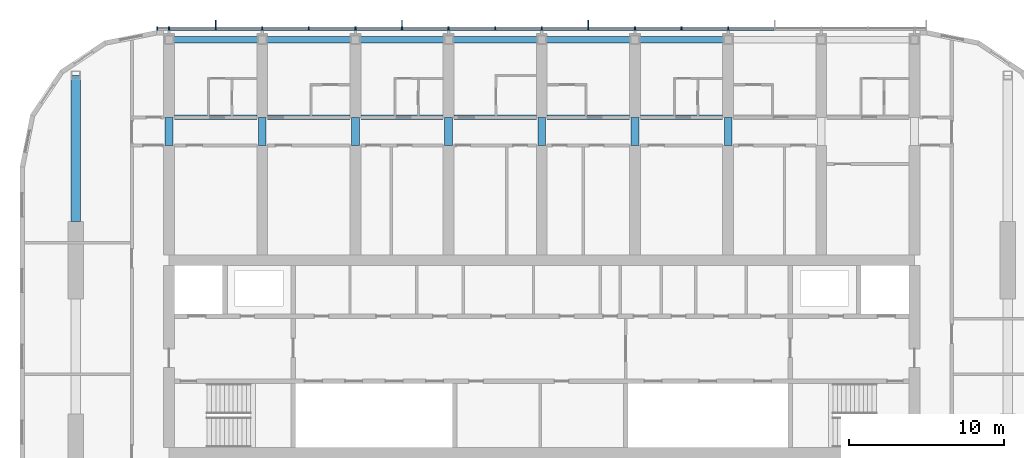
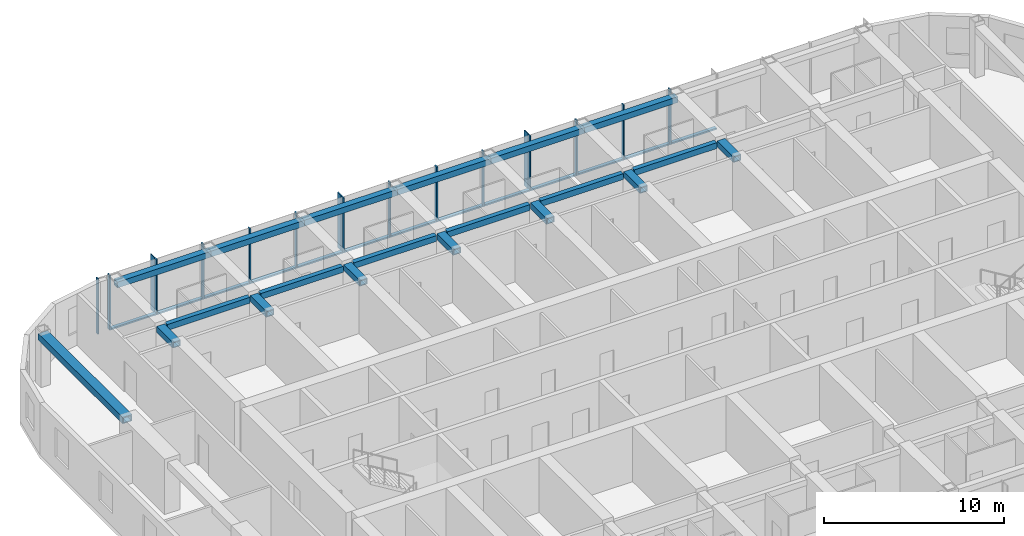
# One storey, part 4 of 23: 30 members, 20 beams, 1 element without a shape of its own.
"""IFC4 building model written with IfcOpenShell, lengths in metres."""

import ifcopenshell
import ifcopenshell.guid

model = None  # the IFC model being written
_history = None  # IfcOwnerHistory: only IFC2X3 demands one
_inside = {}  # id of a spatial element -> (the spatial element, [elements in it])
_under = {}  # id of a project, library or spatial element -> (it, [spatial elements below it])
_declared = {}  # id of a project -> (the project, [libraries it declares])
_typed = {}  # id of a type object -> (the type object, [elements of that type])
_made_of = {}  # id of a material, layer set ... -> (it, [elements and type objects made of it])


def new_model(schema):
    """Start an empty IFC model of exactly this schema.

    Asked for "IFC4X3", IfcOpenShell would pick the latest addendum, in which some entities
    have other attributes; the version numbers below select the first issue.
    IFC2X3 requires an IfcOwnerHistory on every rooted entity: one is made here for all.
    """
    global model, _history
    if schema == "IFC4X3":
        model = ifcopenshell.file(schema_version=(4, 3, 0, 0))
    else:
        model = ifcopenshell.file(schema=schema)
    _inside.clear()
    _under.clear()
    _declared.clear()
    _typed.clear()
    _made_of.clear()
    _history = None
    if model.schema == "IFC2X3":
        org = make("IfcOrganization", Name="unknown")
        user = make(
            "IfcPersonAndOrganization",
            ThePerson=make("IfcPerson", FamilyName="unknown"),
            TheOrganization=org,
        )
        app = make(
            "IfcApplication",
            ApplicationDeveloper=org,
            Version="unknown",
            ApplicationFullName="unknown",
            ApplicationIdentifier="unknown",
        )
        _history = make(
            "IfcOwnerHistory",
            OwningUser=user,
            OwningApplication=app,
            ChangeAction="ADDED",
            CreationDate=0,
        )
    return model


def make(cls, **values):
    """One entity of the class cls with the attributes given. An attribute that is None is left unset."""
    return model.create_entity(
        cls, **{name: value for name, value in values.items() if value is not None}
    )


def rooted(cls, **values):
    """An entity with a GlobalId (a new one), such as an element, a storey or a relation."""
    return make(cls, GlobalId=ifcopenshell.guid.new(), OwnerHistory=_history, **values)


def si_unit(unit_type, name, prefix=None):
    """IfcSIUnit, for example si_unit("LENGTHUNIT", "METRE", prefix="MILLI")."""
    return make("IfcSIUnit", UnitType=unit_type, Prefix=prefix, Name=name)


def assignment(units):
    """IfcUnitAssignment: the units of a project."""
    return None if units is None else make("IfcUnitAssignment", Units=units)


def point(xyz):
    """IfcCartesianPoint."""
    return None if xyz is None else make("IfcCartesianPoint", Coordinates=xyz)


def direction(xyz):
    """IfcDirection."""
    return None if xyz is None else make("IfcDirection", DirectionRatios=xyz)


def frame(location, z_axis=None, x_axis=None):
    """IfcAxis2Placement3D, a coordinate frame: its origin and axes. An axis left out is left unset."""
    return make(
        "IfcAxis2Placement3D",
        Location=point(location),
        Axis=direction(z_axis),
        RefDirection=direction(x_axis),
    )


def frame_2d(location, x_axis=None):
    """IfcAxis2Placement2D, a coordinate frame in the plane: its origin and x axis."""
    return make(
        "IfcAxis2Placement2D", Location=point(location), RefDirection=direction(x_axis)
    )


def origin():
    """The frame at (0, 0, 0) with its axes left unset."""
    return frame((0.0, 0.0, 0.0))


def origin_2d():
    """The frame at (0, 0) in the plane with its x axis left unset."""
    return frame_2d((0.0, 0.0))


def place(relative_to, where):
    """IfcLocalPlacement: puts the frame where relative to a parent placement (None: the world)."""
    return make(
        "IfcLocalPlacement", PlacementRelTo=relative_to, RelativePlacement=where
    )


def context(
    kind, dimensions, precision=None, world=None, true_north=None, identifier=None
):
    """IfcGeometricRepresentationContext, for example the 3D "Model" context."""
    return make(
        "IfcGeometricRepresentationContext",
        ContextIdentifier=identifier,
        ContextType=kind,
        CoordinateSpaceDimension=dimensions,
        Precision=precision,
        WorldCoordinateSystem=world,
        TrueNorth=true_north,
    )


def subcontext(parent, identifier, kind, view, scale=None):
    """IfcGeometricRepresentationSubContext, for example "Body" below "Model"."""
    return make(
        "IfcGeometricRepresentationSubContext",
        ContextIdentifier=identifier,
        ContextType=kind,
        ParentContext=parent,
        TargetScale=scale,
        TargetView=view,
    )


def project(units=None, contexts=None):
    """IfcProject with its units and contexts."""
    return rooted(
        "IfcProject",
        Name="project",
        RepresentationContexts=contexts,
        UnitsInContext=assignment(units),
    )


def spatial(cls, under=None, at=None, **own):
    """A site, building, storey or space (cls), placed at a placement, below another one or the project."""
    s = rooted(cls, ObjectPlacement=at, **own)
    if under is not None:
        _under.setdefault(under.id(), (under, []))[1].append(s)
    return s


def profile(cls, at=None, kind="AREA", **sizes):
    """A parametric profile (cls). Its sizes go by their IFC names, for example OverallWidth=200.0."""
    return make(cls, ProfileType=kind, Position=at, **sizes)


def rectangle(**sizes):
    """IfcRectangleProfileDef."""
    return profile("IfcRectangleProfileDef", **sizes)


def hollow_rectangle(**sizes):
    """IfcRectangleHollowProfileDef."""
    return profile("IfcRectangleHollowProfileDef", **sizes)


def extrude(swept, where, along, depth):
    """IfcExtrudedAreaSolid: the profile swept, set in the frame where, extruded along a direction by depth."""
    return make(
        "IfcExtrudedAreaSolid",
        SweptArea=swept,
        Position=where,
        ExtrudedDirection=direction(along),
        Depth=depth,
    )


def shape(context_of_items, identifier, shape_type, items):
    """IfcShapeRepresentation: the items that make up one representation, for example the "Body"."""
    return make(
        "IfcShapeRepresentation",
        ContextOfItems=context_of_items,
        RepresentationIdentifier=identifier,
        RepresentationType=shape_type,
        Items=items,
    )


def material(Name=None, Category=None):
    """IfcMaterial."""
    return make("IfcMaterial", Name=Name, Category=Category)


def material_profile(
    of_material, cross_section, Name=None, Category=None, Priority=None
):
    """IfcMaterialProfile: a cross section and its material."""
    return make(
        "IfcMaterialProfile",
        Name=Name,
        Material=of_material,
        Profile=cross_section,
        Priority=Priority,
        Category=Category,
    )


def profile_set(profiles, Name=None, composite=None):
    """IfcMaterialProfileSet."""
    return make(
        "IfcMaterialProfileSet",
        Name=Name,
        MaterialProfiles=profiles,
        CompositeProfile=composite,
    )


def made_of(thing, what):
    """Note that an element or type object is made of a material, layer set ...; save() writes the relation."""
    if what is not None:
        _made_of.setdefault(what.id(), (what, []))[1].append(thing)
    return thing


def type_object(cls, material=None, **own):
    """A type object (cls), such as IfcWallType, which elements share."""
    return made_of(rooted(cls, **own), material)


def element(
    cls,
    number,
    at=None,
    inside=None,
    cuts=None,
    type_object=None,
    material=None,
    context=None,
    identifier="Body",
    shape_type=None,
    held_by="IfcProductDefinitionShape",
    body=None,
    shapes=None,
    **own,
):
    """One element of the class cls, such as IfcWall. Its Tag is "e" and its number.

    at: its placement. inside: the storey or other place that contains it. cuts: it is an
    opening in that element (IfcRelVoidsElement). A single representation is given by context,
    identifier, shape_type and body (its items); several are given by shapes. held_by: the class
    of the entity that holds the representations. save() writes the other relations.
    """
    e = rooted(cls, Tag="e%d" % number, ObjectPlacement=at, **own)
    if body is not None:
        shapes = [shape(context, identifier, shape_type, body)]
    if shapes is not None:
        e.Representation = make(held_by, Representations=shapes)
    if inside is not None:
        _inside.setdefault(inside.id(), (inside, []))[1].append(e)
    if cuts is not None:
        rooted(
            "IfcRelVoidsElement", RelatingBuildingElement=cuts, RelatedOpeningElement=e
        )
    if type_object is not None:
        _typed.setdefault(type_object.id(), (type_object, []))[1].append(e)
    return made_of(e, material)


def aggregate(whole, parts):
    """IfcRelAggregates: a whole, such as a stair, and the parts it consists of."""
    return rooted("IfcRelAggregates", RelatingObject=whole, RelatedObjects=parts)


def save(model, path):
    """Write the relations noted so far, then the file.

    IfcRelAggregates (storeys below a building ...), IfcRelContainedInSpatialStructure (elements
    in a storey), IfcRelDefinesByType, IfcRelAssociatesMaterial and IfcRelDeclares: one each for
    every whole, place, type object, material and project.
    """
    for whole, parts in _under.values():
        aggregate(whole, parts)
    for where, things in _inside.values():
        rooted(
            "IfcRelContainedInSpatialStructure",
            RelatedElements=things,
            RelatingStructure=where,
        )
    for kind, things in _typed.values():
        rooted("IfcRelDefinesByType", RelatedObjects=things, RelatingType=kind)
    for what, things in _made_of.values():
        rooted("IfcRelAssociatesMaterial", RelatedObjects=things, RelatingMaterial=what)
    for by, libraries in _declared.values():
        rooted("IfcRelDeclares", RelatingContext=by, RelatedDefinitions=libraries)
    model.write(path)


model = new_model("IFC4")

# Units and contexts
model_context = context("Model", 3, precision=1e-05, world=origin(), true_north=direction((0.0, 1.0)))
body_context = subcontext(model_context, "Body", "Model", "MODEL_VIEW")
ifc_project = project(units=[si_unit("LENGTHUNIT", "METRE"), si_unit("AREAUNIT", "SQUARE_METRE"), si_unit("VOLUMEUNIT", "CUBIC_METRE"), si_unit("PLANEANGLEUNIT", "RADIAN"), si_unit("MASSUNIT", "GRAM", prefix="KILO")], contexts=[model_context])

# Site, building, storey
site_placement = place(None, origin())
site = spatial("IfcSite", under=ifc_project, at=site_placement, CompositionType="ELEMENT")
building_placement = place(site_placement, origin())
building = spatial("IfcBuilding", under=site, at=building_placement, Name="Orbita Commons", CompositionType="ELEMENT")
storey_placement = place(building_placement, frame((0.0, 0.0, 224.050048828125)))
storey = spatial("IfcBuildingStorey", under=building, at=storey_placement, Name="L55", CompositionType="ELEMENT", Elevation=224.050048828125)

# Curtain wall, members
ifc_material_1 = material(Name="Anodised aluminium frame, pale silver", Category="aluminium")
curtain_wall_type = type_object("IfcCurtainWallType", Name="Unitised curtain wall CW-U, full-height vision", PredefinedType="NOTDEFINED", material=ifc_material_1)
curtain_wall_placement = place(storey_placement, origin())
curtain_wall = element("IfcCurtainWall", 1, at=curtain_wall_placement, inside=storey, type_object=curtain_wall_type, Name="Curtain wall north L55", PredefinedType="NOTDEFINED")
ifc_material_2 = material(Name="Anodised aluminium, pale silver", Category="aluminium")
ifc_material_profile_1 = material_profile(ifc_material_2, rectangle(XDim=0.080078125, YDim=0.219970703125, at=origin_2d()), Name="AL 80x220")
ifc_profile_set_1 = profile_set([ifc_material_profile_1], Name="Anodised aluminium, pale silver")
member_type_1 = type_object("IfcMemberType", Name="Curtain wall mullion 80x220", PredefinedType="MULLION", material=ifc_profile_set_1)
member_1_placement = place(storey_placement, frame((54.0, 53.110107421875, -0.25), z_axis=(0.0, 0.0, 1.0), x_axis=(-1.0, 0.0, 0.0)))
member_1 = element("IfcMember", 2, at=member_1_placement, type_object=member_type_1, Name="Mullion 6 CW-L55-N", PredefinedType="MULLION", context=body_context, shape_type="SweptSolid", body=[
    extrude(rectangle(XDim=0.080078125, YDim=0.219970703125, at=origin_2d()), origin(), (0.0, 0.0, 1.0), 3.75),
])
member_2_placement = place(storey_placement, frame((51.0, 53.110107421875, -0.25), z_axis=(0.0, 0.0, 1.0), x_axis=(-1.0, 0.0, 0.0)))
member_2 = element("IfcMember", 3, at=member_2_placement, type_object=member_type_1, Name="Mullion 7 CW-L55-N", PredefinedType="MULLION", context=body_context, shape_type="SweptSolid", body=[
    extrude(rectangle(XDim=0.080078125, YDim=0.219970703125, at=origin_2d()), origin(), (0.0, 0.0, 1.0), 3.75),
])
member_3_placement = place(storey_placement, frame((48.0, 53.110107421875, -0.25), z_axis=(0.0, 0.0, 1.0), x_axis=(-1.0, 0.0, 0.0)))
member_3 = element("IfcMember", 4, at=member_3_placement, type_object=member_type_1, Name="Mullion 8 CW-L55-N", PredefinedType="MULLION", context=body_context, shape_type="SweptSolid", body=[
    extrude(rectangle(XDim=0.080078125, YDim=0.219970703125, at=origin_2d()), origin(), (0.0, 0.0, 1.0), 3.75),
])
member_4_placement = place(storey_placement, frame((45.0, 53.110107421875, -0.25), z_axis=(0.0, 0.0, 1.0), x_axis=(-1.0, 0.0, 0.0)))
member_4 = element("IfcMember", 5, at=member_4_placement, type_object=member_type_1, Name="Mullion 9 CW-L55-N", PredefinedType="MULLION", context=body_context, shape_type="SweptSolid", body=[
    extrude(rectangle(XDim=0.080078125, YDim=0.219970703125, at=origin_2d()), origin(), (0.0, 0.0, 1.0), 3.75),
])
member_5_placement = place(storey_placement, frame((42.0, 53.110107421875, -0.25), z_axis=(0.0, 0.0, 1.0), x_axis=(-1.0, 0.0, 0.0)))
member_5 = element("IfcMember", 6, at=member_5_placement, type_object=member_type_1, Name="Mullion 10 CW-L55-N", PredefinedType="MULLION", context=body_context, shape_type="SweptSolid", body=[
    extrude(rectangle(XDim=0.080078125, YDim=0.219970703125, at=origin_2d()), origin(), (0.0, 0.0, 1.0), 3.75),
])
member_6_placement = place(storey_placement, frame((39.0, 53.110107421875, -0.25), z_axis=(0.0, 0.0, 1.0), x_axis=(-1.0, 0.0, 0.0)))
member_6 = element("IfcMember", 7, at=member_6_placement, type_object=member_type_1, Name="Mullion 11 CW-L55-N", PredefinedType="MULLION", context=body_context, shape_type="SweptSolid", body=[
    extrude(rectangle(XDim=0.080078125, YDim=0.219970703125, at=origin_2d()), origin(), (0.0, 0.0, 1.0), 3.75),
])
member_7_placement = place(storey_placement, frame((36.0, 53.110107421875, -0.25), z_axis=(0.0, 0.0, 1.0), x_axis=(-1.0, 0.0, 0.0)))
member_7 = element("IfcMember", 8, at=member_7_placement, type_object=member_type_1, Name="Mullion 12 CW-L55-N", PredefinedType="MULLION", context=body_context, shape_type="SweptSolid", body=[
    extrude(rectangle(XDim=0.080078125, YDim=0.219970703125, at=origin_2d()), origin(), (0.0, 0.0, 1.0), 3.75),
])
member_8_placement = place(storey_placement, frame((33.0, 53.110107421875, -0.25), z_axis=(0.0, 0.0, 1.0), x_axis=(-1.0, 0.0, 0.0)))
member_8 = element("IfcMember", 9, at=member_8_placement, type_object=member_type_1, Name="Mullion 13 CW-L55-N", PredefinedType="MULLION", context=body_context, shape_type="SweptSolid", body=[
    extrude(rectangle(XDim=0.080078125, YDim=0.219970703125, at=origin_2d()), origin(), (0.0, 0.0, 1.0), 3.75),
])
member_9_placement = place(storey_placement, frame((30.0, 53.110107421875, -0.25), z_axis=(0.0, 0.0, 1.0), x_axis=(-1.0, 0.0, 0.0)))
member_9 = element("IfcMember", 10, at=member_9_placement, type_object=member_type_1, Name="Mullion 14 CW-L55-N", PredefinedType="MULLION", context=body_context, shape_type="SweptSolid", body=[
    extrude(rectangle(XDim=0.080078125, YDim=0.219970703125, at=origin_2d()), origin(), (0.0, 0.0, 1.0), 3.75),
])
member_10_placement = place(storey_placement, frame((27.0, 53.110107421875, -0.25), z_axis=(0.0, 0.0, 1.0), x_axis=(-1.0, 0.0, 0.0)))
member_10 = element("IfcMember", 11, at=member_10_placement, type_object=member_type_1, Name="Mullion 15 CW-L55-N", PredefinedType="MULLION", context=body_context, shape_type="SweptSolid", body=[
    extrude(rectangle(XDim=0.080078125, YDim=0.219970703125, at=origin_2d()), origin(), (0.0, 0.0, 1.0), 3.75),
])
member_11_placement = place(storey_placement, frame((24.0, 53.110107421875, -0.25), z_axis=(0.0, 0.0, 1.0), x_axis=(-1.0, 0.0, 0.0)))
member_11 = element("IfcMember", 12, at=member_11_placement, type_object=member_type_1, Name="Mullion 16 CW-L55-N", PredefinedType="MULLION", context=body_context, shape_type="SweptSolid", body=[
    extrude(rectangle(XDim=0.080078125, YDim=0.219970703125, at=origin_2d()), origin(), (0.0, 0.0, 1.0), 3.75),
])
member_12_placement = place(storey_placement, frame((21.0, 53.110107421875, -0.25), z_axis=(0.0, 0.0, 1.0), x_axis=(-1.0, 0.0, 0.0)))
member_12 = element("IfcMember", 13, at=member_12_placement, type_object=member_type_1, Name="Mullion 17 CW-L55-N", PredefinedType="MULLION", context=body_context, shape_type="SweptSolid", body=[
    extrude(rectangle(XDim=0.080078125, YDim=0.219970703125, at=origin_2d()), origin(), (0.0, 0.0, 1.0), 3.75),
])
member_13_placement = place(storey_placement, frame((18.0, 53.110107421875, -0.25), z_axis=(0.0, 0.0, 1.0), x_axis=(-1.0, 0.0, 0.0)))
member_13 = element("IfcMember", 14, at=member_13_placement, type_object=member_type_1, Name="Mullion 18 CW-L55-N", PredefinedType="MULLION", context=body_context, shape_type="SweptSolid", body=[
    extrude(rectangle(XDim=0.080078125, YDim=0.219970703125, at=origin_2d()), origin(), (0.0, 0.0, 1.0), 3.75),
])
member_14_placement = place(storey_placement, frame((17.239990234375, 53.110107421875, -0.25), z_axis=(0.0, 0.0, 1.0), x_axis=(-1.0, 0.0, 0.0)))
member_14 = element("IfcMember", 15, at=member_14_placement, type_object=member_type_1, Name="Mullion 19 CW-L55-N", PredefinedType="MULLION", context=body_context, shape_type="SweptSolid", body=[
    extrude(rectangle(XDim=0.080078125, YDim=0.219970703125, at=origin_2d()), origin(), (0.0, 0.0, 1.0), 3.75),
])
ifc_material_3 = material(Name="Anodised aluminium, pale silver", Category="aluminium")
ifc_material_profile_2 = material_profile(ifc_material_3, rectangle(XDim=0.219970703125, YDim=0.10009765625, at=origin_2d()), Name="AL 220x100")
ifc_profile_set_2 = profile_set([ifc_material_profile_2], Name="Anodised aluminium, pale silver")
member_type_2 = type_object("IfcMemberType", Name="Curtain wall stack transom 220x100", PredefinedType="USERDEFINED", material=ifc_profile_set_2)
member_15_placement = place(storey_placement, frame((56.9599609375, 53.110107421875, -0.199951171875), z_axis=(-1.0, 0.0, 0.0), x_axis=(0.0, -1.0, 0.0)))
member_15 = element("IfcMember", 16, at=member_15_placement, type_object=member_type_2, Name="Transom 5.1 CW-L55-N", ObjectType="TRANSOM", PredefinedType="USERDEFINED", context=body_context, shape_type="SweptSolid", body=[
    extrude(rectangle(XDim=0.219970703125, YDim=0.10009765625, at=origin_2d()), origin(), (0.0, 0.0, 1.0), 2.919921875),
])
member_16_placement = place(storey_placement, frame((53.9599609375, 53.110107421875, -0.199951171875), z_axis=(-1.0, 0.0, 0.0), x_axis=(0.0, -1.0, 0.0)))
member_16 = element("IfcMember", 17, at=member_16_placement, type_object=member_type_2, Name="Transom 6.1 CW-L55-N", ObjectType="TRANSOM", PredefinedType="USERDEFINED", context=body_context, shape_type="SweptSolid", body=[
    extrude(rectangle(XDim=0.219970703125, YDim=0.10009765625, at=origin_2d()), origin(), (0.0, 0.0, 1.0), 2.919921875),
])
member_17_placement = place(storey_placement, frame((50.9599609375, 53.110107421875, -0.199951171875), z_axis=(-1.0, 0.0, 0.0), x_axis=(0.0, -1.0, 0.0)))
member_17 = element("IfcMember", 18, at=member_17_placement, type_object=member_type_2, Name="Transom 7.1 CW-L55-N", ObjectType="TRANSOM", PredefinedType="USERDEFINED", context=body_context, shape_type="SweptSolid", body=[
    extrude(rectangle(XDim=0.219970703125, YDim=0.10009765625, at=origin_2d()), origin(), (0.0, 0.0, 1.0), 2.919921875),
])
member_18_placement = place(storey_placement, frame((47.9599609375, 53.110107421875, -0.199951171875), z_axis=(-1.0, 0.0, 0.0), x_axis=(0.0, -1.0, 0.0)))
member_18 = element("IfcMember", 19, at=member_18_placement, type_object=member_type_2, Name="Transom 8.1 CW-L55-N", ObjectType="TRANSOM", PredefinedType="USERDEFINED", context=body_context, shape_type="SweptSolid", body=[
    extrude(rectangle(XDim=0.219970703125, YDim=0.10009765625, at=origin_2d()), origin(), (0.0, 0.0, 1.0), 2.919921875),
])
member_19_placement = place(storey_placement, frame((44.9599609375, 53.110107421875, -0.199951171875), z_axis=(-1.0, 0.0, 0.0), x_axis=(0.0, -1.0, 0.0)))
member_19 = element("IfcMember", 20, at=member_19_placement, type_object=member_type_2, Name="Transom 9.1 CW-L55-N", ObjectType="TRANSOM", PredefinedType="USERDEFINED", context=body_context, shape_type="SweptSolid", body=[
    extrude(rectangle(XDim=0.219970703125, YDim=0.10009765625, at=origin_2d()), origin(), (0.0, 0.0, 1.0), 2.919921875),
])
member_20_placement = place(storey_placement, frame((41.9599609375, 53.110107421875, -0.199951171875), z_axis=(-1.0, 0.0, 0.0), x_axis=(0.0, -1.0, 0.0)))
member_20 = element("IfcMember", 21, at=member_20_placement, type_object=member_type_2, Name="Transom 10.1 CW-L55-N", ObjectType="TRANSOM", PredefinedType="USERDEFINED", context=body_context, shape_type="SweptSolid", body=[
    extrude(rectangle(XDim=0.219970703125, YDim=0.10009765625, at=origin_2d()), origin(), (0.0, 0.0, 1.0), 2.919921875),
])
member_21_placement = place(storey_placement, frame((38.9599609375, 53.110107421875, -0.199951171875), z_axis=(-1.0, 0.0, 0.0), x_axis=(0.0, -1.0, 0.0)))
member_21 = element("IfcMember", 22, at=member_21_placement, type_object=member_type_2, Name="Transom 11.1 CW-L55-N", ObjectType="TRANSOM", PredefinedType="USERDEFINED", context=body_context, shape_type="SweptSolid", body=[
    extrude(rectangle(XDim=0.219970703125, YDim=0.10009765625, at=origin_2d()), origin(), (0.0, 0.0, 1.0), 2.919921875),
])
member_22_placement = place(storey_placement, frame((35.9599609375, 53.110107421875, -0.199951171875), z_axis=(-1.0, 0.0, 0.0), x_axis=(0.0, -1.0, 0.0)))
member_22 = element("IfcMember", 23, at=member_22_placement, type_object=member_type_2, Name="Transom 12.1 CW-L55-N", ObjectType="TRANSOM", PredefinedType="USERDEFINED", context=body_context, shape_type="SweptSolid", body=[
    extrude(rectangle(XDim=0.219970703125, YDim=0.10009765625, at=origin_2d()), origin(), (0.0, 0.0, 1.0), 2.919921875),
])
member_23_placement = place(storey_placement, frame((32.9599609375, 53.110107421875, -0.199951171875), z_axis=(-1.0, 0.0, 0.0), x_axis=(0.0, -1.0, 0.0)))
member_23 = element("IfcMember", 24, at=member_23_placement, type_object=member_type_2, Name="Transom 13.1 CW-L55-N", ObjectType="TRANSOM", PredefinedType="USERDEFINED", context=body_context, shape_type="SweptSolid", body=[
    extrude(rectangle(XDim=0.219970703125, YDim=0.10009765625, at=origin_2d()), origin(), (0.0, 0.0, 1.0), 2.919921875),
])
member_24_placement = place(storey_placement, frame((29.9599609375, 53.110107421875, -0.199951171875), z_axis=(-1.0, 0.0, 0.0), x_axis=(0.0, -1.0, 0.0)))
member_24 = element("IfcMember", 25, at=member_24_placement, type_object=member_type_2, Name="Transom 14.1 CW-L55-N", ObjectType="TRANSOM", PredefinedType="USERDEFINED", context=body_context, shape_type="SweptSolid", body=[
    extrude(rectangle(XDim=0.219970703125, YDim=0.10009765625, at=origin_2d()), origin(), (0.0, 0.0, 1.0), 2.919921875),
])
member_25_placement = place(storey_placement, frame((26.9599609375, 53.110107421875, -0.199951171875), z_axis=(-1.0, 0.0, 0.0), x_axis=(0.0, -1.0, 0.0)))
member_25 = element("IfcMember", 26, at=member_25_placement, type_object=member_type_2, Name="Transom 15.1 CW-L55-N", ObjectType="TRANSOM", PredefinedType="USERDEFINED", context=body_context, shape_type="SweptSolid", body=[
    extrude(rectangle(XDim=0.219970703125, YDim=0.10009765625, at=origin_2d()), origin(), (0.0, 0.0, 1.0), 2.919921875),
])
member_26_placement = place(storey_placement, frame((23.9599609375, 53.110107421875, -0.199951171875), z_axis=(-1.0, 0.0, 0.0), x_axis=(0.0, -1.0, 0.0)))
member_26 = element("IfcMember", 27, at=member_26_placement, type_object=member_type_2, Name="Transom 16.1 CW-L55-N", ObjectType="TRANSOM", PredefinedType="USERDEFINED", context=body_context, shape_type="SweptSolid", body=[
    extrude(rectangle(XDim=0.219970703125, YDim=0.10009765625, at=origin_2d()), origin(), (0.0, 0.0, 1.0), 2.919921875),
])
member_27_placement = place(storey_placement, frame((20.9599609375, 53.110107421875, -0.199951171875), z_axis=(-1.0, 0.0, 0.0), x_axis=(0.0, -1.0, 0.0)))
member_27 = element("IfcMember", 28, at=member_27_placement, type_object=member_type_2, Name="Transom 17.1 CW-L55-N", ObjectType="TRANSOM", PredefinedType="USERDEFINED", context=body_context, shape_type="SweptSolid", body=[
    extrude(rectangle(XDim=0.219970703125, YDim=0.10009765625, at=origin_2d()), origin(), (0.0, 0.0, 1.0), 2.919921875),
])

# Beams
ifc_material_4 = material(Name="Steel ASTM A572 Gr 50 welded plate", Category="steel")
ifc_material_profile_3 = material_profile(ifc_material_4, hollow_rectangle(XDim=0.300048828125, YDim=0.39990234375, WallThickness=0.0400390625, at=origin_2d()), Name="BOX 400x300x40")
ifc_profile_set_3 = profile_set([ifc_material_profile_3], Name="Steel ASTM A572 Gr 50 welded plate")
beam_type_1 = type_object("IfcBeamType", Name="Steel corridor link BOX 400x300x40", PredefinedType="BEAM", material=ifc_profile_set_3)
for number, where, z_axis, x_axis, name in (
    (29, (18.35009765625, 47.39990234375, 3.300048828125), (1.0, 0.0, 0.0), (0.0, 1.0, 0.0), "Corridor beam NB 4-5 L55"),
    (30, (24.35009765625, 47.39990234375, 3.300048828125), (1.0, 0.0, 0.0), (0.0, 1.0, 0.0), "Corridor beam NB 5-6 L55"),
    (31, (30.35009765625, 47.39990234375, 3.300048828125), (1.0, 0.0, 0.0), (0.0, 1.0, 0.0), "Corridor beam NB 6-7 L55"),
    (32, (36.35009765625, 47.39990234375, 3.300048828125), (1.0, 0.0, 0.0), (0.0, 1.0, 0.0), "Corridor beam NB 7-8 L55"),
    (33, (42.35009765625, 47.39990234375, 3.300048828125), (1.0, 0.0, 0.0), (0.0, 1.0, 0.0), "Corridor beam NB 8-9 L55"),
    (34, (48.35009765625, 47.39990234375, 3.300048828125), (1.0, 0.0, 0.0), (0.0, 1.0, 0.0), "Corridor beam NB 9-10 L55"),
):
    element("IfcBeam", number, at=place(storey_placement, frame(where, z_axis=z_axis, x_axis=x_axis)), inside=storey, type_object=beam_type_1, Name=name, PredefinedType="BEAM", context=body_context, shape_type="SweptSolid", body=[
        extrude(hollow_rectangle(XDim=0.300048828125, YDim=0.39990234375, WallThickness=0.0400390625, at=origin_2d()), origin(), (0.0, 0.0, 1.0), 5.2998046875),
    ])
ifc_material_5 = material(Name="Steel ASTM A572 Gr 50 welded plate", Category="steel")
ifc_material_profile_4 = material_profile(ifc_material_5, hollow_rectangle(XDim=0.5, YDim=0.39990234375, WallThickness=0.050048828125, at=origin_2d()), Name="BOX 400x500x50")
ifc_profile_set_4 = profile_set([ifc_material_profile_4], Name="Steel ASTM A572 Gr 50 welded plate")
beam_type_2 = type_object("IfcBeamType", Name="Steel coupling link BOX 400x500x50", PredefinedType="LINTEL", material=ifc_profile_set_4)
for number, where, z_axis, x_axis, name in (
    (35, (18.0, 45.60009765625, 3.300048828125), (0.0, 1.0, 0.0), (-1.0, 0.0, 0.0), "Coupling beam 4 north L55"),
    (36, (24.0, 45.60009765625, 3.300048828125), (0.0, 1.0, 0.0), (-1.0, 0.0, 0.0), "Coupling beam 5 north L55"),
    (37, (30.0, 45.60009765625, 3.300048828125), (0.0, 1.0, 0.0), (-1.0, 0.0, 0.0), "Coupling beam 6 north L55"),
    (38, (36.0, 45.60009765625, 3.300048828125), (0.0, 1.0, 0.0), (-1.0, 0.0, 0.0), "Coupling beam 7 north L55"),
    (39, (42.0, 45.60009765625, 3.300048828125), (0.0, 1.0, 0.0), (-1.0, 0.0, 0.0), "Coupling beam 8 north L55"),
    (40, (48.0, 45.60009765625, 3.300048828125), (0.0, 1.0, 0.0), (-1.0, 0.0, 0.0), "Coupling beam 9 north L55"),
    (41, (54.0, 45.60009765625, 3.300048828125), (0.0, 1.0, 0.0), (-1.0, 0.0, 0.0), "Coupling beam 10 north L55"),
):
    element("IfcBeam", number, at=place(storey_placement, frame(where, z_axis=z_axis, x_axis=x_axis)), inside=storey, type_object=beam_type_2, Name=name, PredefinedType="LINTEL", context=body_context, shape_type="SweptSolid", body=[
        extrude(hollow_rectangle(XDim=0.5, YDim=0.39990234375, WallThickness=0.050048828125, at=origin_2d()), origin(), (0.0, 0.0, 1.0), 1.7998046875),
    ])
ifc_material_6 = material(Name="Steel ASTM A572 Gr 50 welded plate", Category="steel")
ifc_material_profile_5 = material_profile(ifc_material_6, hollow_rectangle(XDim=0.60009765625, YDim=0.449951171875, WallThickness=0.06005859375, at=origin_2d()), Name="BOX 450x600x60")
ifc_profile_set_5 = profile_set([ifc_material_profile_5], Name="Steel ASTM A572 Gr 50 welded plate")
beam_type_3 = type_object("IfcBeamType", Name="Steel end frame link BOX 450x600x60", PredefinedType="BEAM", material=ifc_profile_set_5)
beam_placement = place(storey_placement, frame((12.0, 40.699951171875, 3.27490234375), z_axis=(0.0, 1.0, 0.0), x_axis=(-1.0, 0.0, 0.0)))
element("IfcBeam", 42, at=beam_placement, inside=storey, type_object=beam_type_3, Name="End frame beam 3 D-E L55", PredefinedType="BEAM", context=body_context, shape_type="SweptSolid", body=[
    extrude(hollow_rectangle(XDim=0.60009765625, YDim=0.449951171875, WallThickness=0.06005859375, at=origin_2d()), origin(), (0.0, 0.0, 1.0), 9.400146484375),
])
ifc_material_7 = material(Name="Steel ASTM A572 Gr 50 welded plate", Category="steel")
ifc_material_profile_6 = material_profile(ifc_material_7, hollow_rectangle(XDim=0.39990234375, YDim=0.39990234375, WallThickness=0.0400390625, at=origin_2d()), Name="BOX 400x400x40")
ifc_profile_set_6 = profile_set([ifc_material_profile_6], Name="Steel ASTM A572 Gr 50 welded plate")
beam_type_4 = type_object("IfcBeamType", Name="Steel spandrel BOX 400x400x40", PredefinedType="SPANDREL", material=ifc_profile_set_6)
for number, where, z_axis, x_axis, name in (
    (43, (18.0, 52.39990234375, 3.300048828125), (1.0, 0.0, 0.0), (0.0, 1.0, 0.0), "Spandrel beam E 4-5 L55"),
    (44, (24.0, 52.39990234375, 3.300048828125), (1.0, 0.0, 0.0), (0.0, 1.0, 0.0), "Spandrel beam E 5-6 L55"),
    (45, (30.0, 52.39990234375, 3.300048828125), (1.0, 0.0, 0.0), (0.0, 1.0, 0.0), "Spandrel beam E 6-7 L55"),
    (46, (36.0, 52.39990234375, 3.300048828125), (1.0, 0.0, 0.0), (0.0, 1.0, 0.0), "Spandrel beam E 7-8 L55"),
    (47, (42.0, 52.39990234375, 3.300048828125), (1.0, 0.0, 0.0), (0.0, 1.0, 0.0), "Spandrel beam E 8-9 L55"),
    (48, (48.0, 52.39990234375, 3.300048828125), (1.0, 0.0, 0.0), (0.0, 1.0, 0.0), "Spandrel beam E 9-10 L55"),
):
    element("IfcBeam", number, at=place(storey_placement, frame(where, z_axis=z_axis, x_axis=x_axis)), inside=storey, type_object=beam_type_4, Name=name, PredefinedType="SPANDREL", context=body_context, shape_type="SweptSolid", body=[
        extrude(hollow_rectangle(XDim=0.39990234375, YDim=0.39990234375, WallThickness=0.0400390625, at=origin_2d()), origin(), (0.0, 0.0, 1.0), 6.0),
    ])

# Member
ifc_material_8 = material(Name="Anodised aluminium, pale silver", Category="aluminium")
ifc_material_profile_7 = material_profile(ifc_material_8, rectangle(XDim=0.06005859375, YDim=0.449951171875, at=origin_2d()), Name="FIN 60x450")
ifc_profile_set_7 = profile_set([ifc_material_profile_7], Name="Anodised aluminium, pale silver")
member_type_3 = type_object("IfcMemberType", Name="Vertical fin 60x450 pale aluminium", PredefinedType="USERDEFINED", material=ifc_profile_set_7)
member_28_placement = place(storey_placement, frame((45.0, 53.445068359375, -0.25), z_axis=(0.0, 0.0, 1.0), x_axis=(-1.0, 0.0, 0.0)))
member_28 = element("IfcMember", 49, at=member_28_placement, type_object=member_type_3, Name="Fin 9 CW-L55-N", ObjectType="FIN", PredefinedType="USERDEFINED", context=body_context, shape_type="SweptSolid", body=[
    extrude(rectangle(XDim=0.06005859375, YDim=0.449951171875, at=origin_2d()), origin(), (0.0, 0.0, 1.0), 3.75),
])

member_29_placement = place(storey_placement, frame((33.0, 53.445068359375, -0.25), z_axis=(0.0, 0.0, 1.0), x_axis=(-1.0, 0.0, 0.0)))
member_29 = element("IfcMember", 50, at=member_29_placement, type_object=member_type_3, Name="Fin 13 CW-L55-N", ObjectType="FIN", PredefinedType="USERDEFINED", context=body_context, shape_type="SweptSolid", body=[
    extrude(rectangle(XDim=0.06005859375, YDim=0.449951171875, at=origin_2d()), origin(), (0.0, 0.0, 1.0), 3.75),
])

member_30_placement = place(storey_placement, frame((21.0, 53.445068359375, -0.25), z_axis=(0.0, 0.0, 1.0), x_axis=(-1.0, 0.0, 0.0)))
member_30 = element("IfcMember", 51, at=member_30_placement, type_object=member_type_3, Name="Fin 17 CW-L55-N", ObjectType="FIN", PredefinedType="USERDEFINED", context=body_context, shape_type="SweptSolid", body=[
    extrude(rectangle(XDim=0.06005859375, YDim=0.449951171875, at=origin_2d()), origin(), (0.0, 0.0, 1.0), 3.75),
])

aggregate(curtain_wall, [member_1, member_2, member_3, member_4, member_28, member_5, member_6, member_7, member_8, member_29, member_9, member_10, member_11, member_12, member_30, member_13, member_14, member_15, member_16, member_17, member_18, member_19, member_20, member_21, member_22, member_23, member_24, member_25, member_26, member_27])

save(model, "model.ifc")
